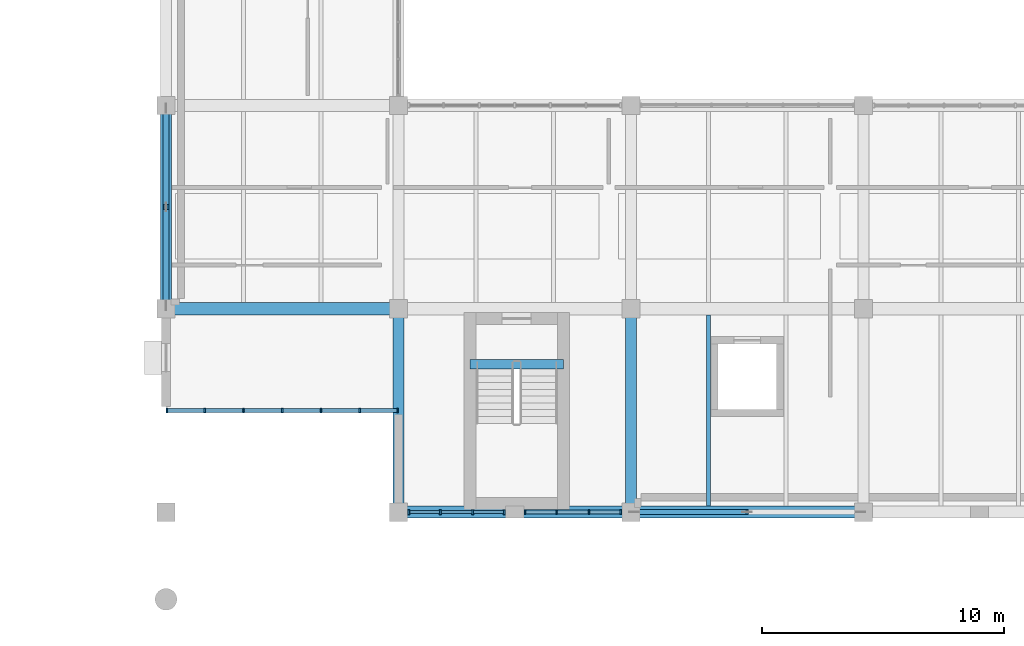
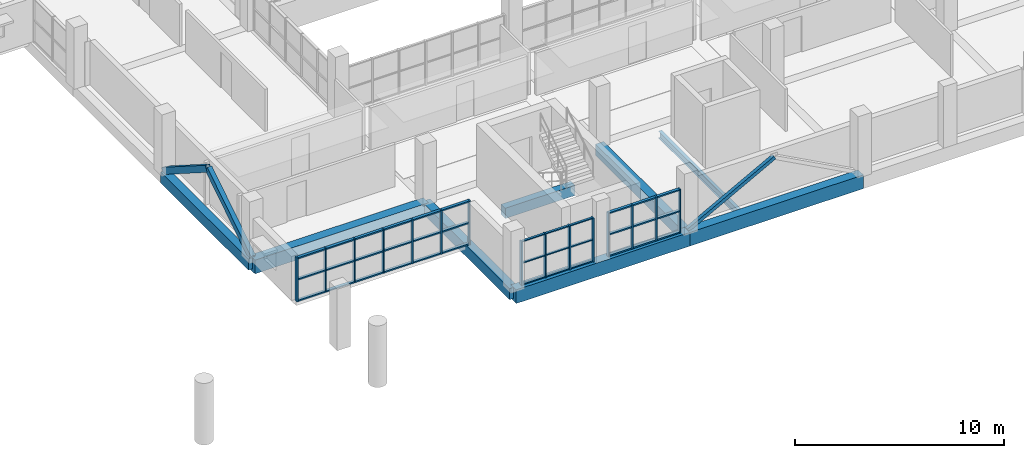
# One storey, part 51 of 147: 54 members, 8 beams, 3 elements without a shape of their own.
"""IFC4 building model written with IfcOpenShell, lengths in metres."""

import ifcopenshell
import ifcopenshell.guid

model = None  # the IFC model being written
_history = None  # IfcOwnerHistory: only IFC2X3 demands one
_inside = {}  # id of a spatial element -> (the spatial element, [elements in it])
_under = {}  # id of a project, library or spatial element -> (it, [spatial elements below it])
_declared = {}  # id of a project -> (the project, [libraries it declares])
_typed = {}  # id of a type object -> (the type object, [elements of that type])
_made_of = {}  # id of a material, layer set ... -> (it, [elements and type objects made of it])


def new_model(schema):
    """Start an empty IFC model of exactly this schema.

    Asked for "IFC4X3", IfcOpenShell would pick the latest addendum, in which some entities
    have other attributes; the version numbers below select the first issue.
    IFC2X3 requires an IfcOwnerHistory on every rooted entity: one is made here for all.
    """
    global model, _history
    if schema == "IFC4X3":
        model = ifcopenshell.file(schema_version=(4, 3, 0, 0))
    else:
        model = ifcopenshell.file(schema=schema)
    _inside.clear()
    _under.clear()
    _declared.clear()
    _typed.clear()
    _made_of.clear()
    _history = None
    if model.schema == "IFC2X3":
        org = make("IfcOrganization", Name="unknown")
        user = make(
            "IfcPersonAndOrganization",
            ThePerson=make("IfcPerson", FamilyName="unknown"),
            TheOrganization=org,
        )
        app = make(
            "IfcApplication",
            ApplicationDeveloper=org,
            Version="unknown",
            ApplicationFullName="unknown",
            ApplicationIdentifier="unknown",
        )
        _history = make(
            "IfcOwnerHistory",
            OwningUser=user,
            OwningApplication=app,
            ChangeAction="ADDED",
            CreationDate=0,
        )
    return model


def make(cls, **values):
    """One entity of the class cls with the attributes given. An attribute that is None is left unset."""
    return model.create_entity(
        cls, **{name: value for name, value in values.items() if value is not None}
    )


def rooted(cls, **values):
    """An entity with a GlobalId (a new one), such as an element, a storey or a relation."""
    return make(cls, GlobalId=ifcopenshell.guid.new(), OwnerHistory=_history, **values)


def si_unit(unit_type, name, prefix=None):
    """IfcSIUnit, for example si_unit("LENGTHUNIT", "METRE", prefix="MILLI")."""
    return make("IfcSIUnit", UnitType=unit_type, Prefix=prefix, Name=name)


def assignment(units):
    """IfcUnitAssignment: the units of a project."""
    return None if units is None else make("IfcUnitAssignment", Units=units)


def point(xyz):
    """IfcCartesianPoint."""
    return None if xyz is None else make("IfcCartesianPoint", Coordinates=xyz)


def direction(xyz):
    """IfcDirection."""
    return None if xyz is None else make("IfcDirection", DirectionRatios=xyz)


def frame(location, z_axis=None, x_axis=None):
    """IfcAxis2Placement3D, a coordinate frame: its origin and axes. An axis left out is left unset."""
    return make(
        "IfcAxis2Placement3D",
        Location=point(location),
        Axis=direction(z_axis),
        RefDirection=direction(x_axis),
    )


def frame_2d(location, x_axis=None):
    """IfcAxis2Placement2D, a coordinate frame in the plane: its origin and x axis."""
    return make(
        "IfcAxis2Placement2D", Location=point(location), RefDirection=direction(x_axis)
    )


def origin():
    """The frame at (0, 0, 0) with its axes left unset."""
    return frame((0.0, 0.0, 0.0))


def origin_2d():
    """The frame at (0, 0) in the plane with its x axis left unset."""
    return frame_2d((0.0, 0.0))


def place(relative_to, where):
    """IfcLocalPlacement: puts the frame where relative to a parent placement (None: the world)."""
    return make(
        "IfcLocalPlacement", PlacementRelTo=relative_to, RelativePlacement=where
    )


def context(
    kind, dimensions, precision=None, world=None, true_north=None, identifier=None
):
    """IfcGeometricRepresentationContext, for example the 3D "Model" context."""
    return make(
        "IfcGeometricRepresentationContext",
        ContextIdentifier=identifier,
        ContextType=kind,
        CoordinateSpaceDimension=dimensions,
        Precision=precision,
        WorldCoordinateSystem=world,
        TrueNorth=true_north,
    )


def subcontext(parent, identifier, kind, view, scale=None):
    """IfcGeometricRepresentationSubContext, for example "Body" below "Model"."""
    return make(
        "IfcGeometricRepresentationSubContext",
        ContextIdentifier=identifier,
        ContextType=kind,
        ParentContext=parent,
        TargetScale=scale,
        TargetView=view,
    )


def project(units=None, contexts=None):
    """IfcProject with its units and contexts."""
    return rooted(
        "IfcProject",
        Name="project",
        RepresentationContexts=contexts,
        UnitsInContext=assignment(units),
    )


def spatial(cls, under=None, at=None, **own):
    """A site, building, storey or space (cls), placed at a placement, below another one or the project."""
    s = rooted(cls, ObjectPlacement=at, **own)
    if under is not None:
        _under.setdefault(under.id(), (under, []))[1].append(s)
    return s


def profile(cls, at=None, kind="AREA", **sizes):
    """A parametric profile (cls). Its sizes go by their IFC names, for example OverallWidth=200.0."""
    return make(cls, ProfileType=kind, Position=at, **sizes)


def rectangle(**sizes):
    """IfcRectangleProfileDef."""
    return profile("IfcRectangleProfileDef", **sizes)


def hollow_rectangle(**sizes):
    """IfcRectangleHollowProfileDef."""
    return profile("IfcRectangleHollowProfileDef", **sizes)


def i_section(**sizes):
    """IfcIShapeProfileDef."""
    return profile("IfcIShapeProfileDef", **sizes)


def extrude(swept, where, along, depth):
    """IfcExtrudedAreaSolid: the profile swept, set in the frame where, extruded along a direction by depth."""
    return make(
        "IfcExtrudedAreaSolid",
        SweptArea=swept,
        Position=where,
        ExtrudedDirection=direction(along),
        Depth=depth,
    )


def shape(context_of_items, identifier, shape_type, items):
    """IfcShapeRepresentation: the items that make up one representation, for example the "Body"."""
    return make(
        "IfcShapeRepresentation",
        ContextOfItems=context_of_items,
        RepresentationIdentifier=identifier,
        RepresentationType=shape_type,
        Items=items,
    )


def material(Name=None, Category=None):
    """IfcMaterial."""
    return make("IfcMaterial", Name=Name, Category=Category)


def material_profile(
    of_material, cross_section, Name=None, Category=None, Priority=None
):
    """IfcMaterialProfile: a cross section and its material."""
    return make(
        "IfcMaterialProfile",
        Name=Name,
        Material=of_material,
        Profile=cross_section,
        Priority=Priority,
        Category=Category,
    )


def profile_set(profiles, Name=None, composite=None):
    """IfcMaterialProfileSet."""
    return make(
        "IfcMaterialProfileSet",
        Name=Name,
        MaterialProfiles=profiles,
        CompositeProfile=composite,
    )


def made_of(thing, what):
    """Note that an element or type object is made of a material, layer set ...; save() writes the relation."""
    if what is not None:
        _made_of.setdefault(what.id(), (what, []))[1].append(thing)
    return thing


def type_object(cls, material=None, **own):
    """A type object (cls), such as IfcWallType, which elements share."""
    return made_of(rooted(cls, **own), material)


def element(
    cls,
    number,
    at=None,
    inside=None,
    cuts=None,
    type_object=None,
    material=None,
    context=None,
    identifier="Body",
    shape_type=None,
    held_by="IfcProductDefinitionShape",
    body=None,
    shapes=None,
    **own,
):
    """One element of the class cls, such as IfcWall. Its Tag is "e" and its number.

    at: its placement. inside: the storey or other place that contains it. cuts: it is an
    opening in that element (IfcRelVoidsElement). A single representation is given by context,
    identifier, shape_type and body (its items); several are given by shapes. held_by: the class
    of the entity that holds the representations. save() writes the other relations.
    """
    e = rooted(cls, Tag="e%d" % number, ObjectPlacement=at, **own)
    if body is not None:
        shapes = [shape(context, identifier, shape_type, body)]
    if shapes is not None:
        e.Representation = make(held_by, Representations=shapes)
    if inside is not None:
        _inside.setdefault(inside.id(), (inside, []))[1].append(e)
    if cuts is not None:
        rooted(
            "IfcRelVoidsElement", RelatingBuildingElement=cuts, RelatedOpeningElement=e
        )
    if type_object is not None:
        _typed.setdefault(type_object.id(), (type_object, []))[1].append(e)
    return made_of(e, material)


def aggregate(whole, parts):
    """IfcRelAggregates: a whole, such as a stair, and the parts it consists of."""
    return rooted("IfcRelAggregates", RelatingObject=whole, RelatedObjects=parts)


def save(model, path):
    """Write the relations noted so far, then the file.

    IfcRelAggregates (storeys below a building ...), IfcRelContainedInSpatialStructure (elements
    in a storey), IfcRelDefinesByType, IfcRelAssociatesMaterial and IfcRelDeclares: one each for
    every whole, place, type object, material and project.
    """
    for whole, parts in _under.values():
        aggregate(whole, parts)
    for where, things in _inside.values():
        rooted(
            "IfcRelContainedInSpatialStructure",
            RelatedElements=things,
            RelatingStructure=where,
        )
    for kind, things in _typed.values():
        rooted("IfcRelDefinesByType", RelatedObjects=things, RelatingType=kind)
    for what, things in _made_of.values():
        rooted("IfcRelAssociatesMaterial", RelatedObjects=things, RelatingMaterial=what)
    for by, libraries in _declared.values():
        rooted("IfcRelDeclares", RelatingContext=by, RelatedDefinitions=libraries)
    model.write(path)


model = new_model("IFC4")

# Units and contexts
model_context = context("Model", 3, precision=1e-05, world=origin(), true_north=direction((0.0, 1.0)))
body_context = subcontext(model_context, "Body", "Model", "MODEL_VIEW")
ifc_project = project(units=[si_unit("LENGTHUNIT", "METRE"), si_unit("AREAUNIT", "SQUARE_METRE"), si_unit("VOLUMEUNIT", "CUBIC_METRE"), si_unit("PLANEANGLEUNIT", "RADIAN"), si_unit("MASSUNIT", "GRAM", prefix="KILO")], contexts=[model_context])

# Site, building, storey
site_placement = place(None, origin())
site = spatial("IfcSite", under=ifc_project, at=site_placement, CompositionType="ELEMENT")
building_placement = place(site_placement, origin())
building = spatial("IfcBuilding", under=site, at=building_placement, Name="Oolite Switchyard Hospital", CompositionType="ELEMENT")
storey_placement = place(building_placement, frame((0.0, 0.0, 9.89990234375)))
storey = spatial("IfcBuildingStorey", under=building, at=storey_placement, Name="L02", CompositionType="ELEMENT", Elevation=9.89990234375)

# Beams
ifc_material_1 = material(Name="Concrete C40/50", Category="concrete")
ifc_material_profile_1 = material_profile(ifc_material_1, rectangle(XDim=0.39990234375, YDim=0.60009765625, at=origin_2d()), Name="RCB400X600")
ifc_profile_set_1 = profile_set([ifc_material_profile_1], Name="Concrete C40/50")
beam_type_1 = type_object("IfcBeamType", Name="BM-RC400X600", PredefinedType="BEAM", material=ifc_profile_set_1)
beam_1_placement = place(storey_placement, frame((146.949951171875, 14.510009765625, -0.2998046875), z_axis=(1.0, 0.0, 0.0), x_axis=(0.0, 1.0, 0.0)))
element("IfcBeam", 1, at=beam_1_placement, inside=storey, type_object=beam_type_1, Name="L02 ST-05 Stair Throat Trimmer Beam", PredefinedType="BEAM", context=body_context, shape_type="SweptSolid", body=[
    extrude(rectangle(XDim=0.39990234375, YDim=0.60009765625, at=origin_2d()), origin(), (0.0, 0.0, 1.0), 3.860107421875),
])
ifc_material_profile_2 = material_profile(ifc_material_1, rectangle(XDim=0.449951171875, YDim=0.64990234375, at=origin_2d()), Name="RCB450X650")
ifc_profile_set_2 = profile_set([ifc_material_profile_2], Name="Concrete C40/50")
beam_type_2 = type_object("IfcBeamType", Name="BM-RC450X650", PredefinedType="BEAM", material=ifc_profile_set_2)
beam_2_placement = place(storey_placement, frame((134.39990234375, 16.800048828125, -0.324951171875), z_axis=(0.0, 1.0, 0.0), x_axis=(-1.0, 0.0, 0.0)))
element("IfcBeam", 2, at=beam_2_placement, inside=storey, type_object=beam_type_2, Name="L02 Y-Girder 1400", PredefinedType="BEAM", context=body_context, shape_type="SweptSolid", body=[
    extrude(rectangle(XDim=0.449951171875, YDim=0.64990234375, at=origin_2d()), origin(), (0.0, 0.0, 1.0), 8.39990234375),
])
for number, where, z_axis, x_axis, name in (
    (3, (144.0, 8.39990234375, -0.324951171875), (0.0, 1.0, 0.0), (-1.0, 0.0, 0.0), "L02 Y-Girder 1414"),
    (4, (153.60009765625, 8.39990234375, -0.324951171875), (0.0, 1.0, 0.0), (-1.0, 0.0, 0.0), "L02 Y-Girder 1431"),
):
    element("IfcBeam", number, at=place(storey_placement, frame(where, z_axis=z_axis, x_axis=x_axis)), inside=storey, type_object=beam_type_2, Name=name, PredefinedType="BEAM", context=body_context, shape_type="SweptSolid", body=[
        extrude(rectangle(XDim=0.449951171875, YDim=0.64990234375, at=origin_2d()), origin(), (0.0, 0.0, 1.0), 8.400146484375),
    ])
ifc_material_profile_3 = material_profile(ifc_material_1, rectangle(XDim=0.5, YDim=0.800048828125, at=origin_2d()), Name="RCB500X800")
ifc_profile_set_3 = profile_set([ifc_material_profile_3], Name="Concrete C40/50")
beam_type_3 = type_object("IfcBeamType", Name="BM-RC500X800", PredefinedType="BEAM", material=ifc_profile_set_3)
beam_3_placement = place(storey_placement, frame((144.0, 8.39990234375, -0.39990234375), z_axis=(1.0, 0.0, 0.0), x_axis=(0.0, 1.0, 0.0)))
element("IfcBeam", 5, at=beam_3_placement, inside=storey, type_object=beam_type_3, Name="L02 X-Girder 998", PredefinedType="BEAM", context=body_context, shape_type="SweptSolid", body=[
    extrude(rectangle(XDim=0.5, YDim=0.800048828125, at=origin_2d()), origin(), (0.0, 0.0, 1.0), 9.60009765625),
])
beam_4_placement = place(storey_placement, frame((153.60009765625, 8.39990234375, -0.39990234375), z_axis=(1.0, 0.0, 0.0), x_axis=(0.0, 1.0, 0.0)))
element("IfcBeam", 6, at=beam_4_placement, inside=storey, type_object=beam_type_3, Name="L02 X-Girder 999", PredefinedType="BEAM", context=body_context, shape_type="SweptSolid", body=[
    extrude(rectangle(XDim=0.5, YDim=0.800048828125, at=origin_2d()), origin(), (0.0, 0.0, 1.0), 9.599853515625),
])
beam_5_placement = place(storey_placement, frame((134.39990234375, 16.800048828125, -0.39990234375), z_axis=(1.0, 0.0, 0.0), x_axis=(0.0, 1.0, 0.0)))
element("IfcBeam", 7, at=beam_5_placement, inside=storey, type_object=beam_type_3, Name="L02 X-Girder 1011", PredefinedType="BEAM", context=body_context, shape_type="SweptSolid", body=[
    extrude(rectangle(XDim=0.5, YDim=0.800048828125, at=origin_2d()), origin(), (0.0, 0.0, 1.0), 9.60009765625),
])
ifc_material_2 = material(Name="Steel ASTM A992 Grade 50", Category="steel")
ifc_material_profile_4 = material_profile(ifc_material_2, i_section(OverallWidth=0.177978515625, OverallDepth=0.403076171875, WebThickness=0.008056640625, FlangeThickness=0.010986328125, at=origin_2d()), Name="W16X36")
ifc_profile_set_4 = profile_set([ifc_material_profile_4], Name="Steel ASTM A992 Grade 50")
beam_type_4 = type_object("IfcBeamType", Name="BM-W16X36", PredefinedType="JOIST", material=ifc_profile_set_4)
beam_6_placement = place(storey_placement, frame((156.800048828125, 8.64990234375, -0.4609375), z_axis=(0.0, 1.0, 0.0), x_axis=(-1.0, 0.0, 0.0)))
element("IfcBeam", 8, at=beam_6_placement, inside=storey, type_object=beam_type_4, Name="L02 Secondary Steel Joist 1812", PredefinedType="JOIST", context=body_context, shape_type="SweptSolid", body=[
    extrude(i_section(OverallWidth=0.177978515625, OverallDepth=0.403076171875, WebThickness=0.008056640625, FlangeThickness=0.010986328125, at=origin_2d()), origin(), (0.0, 0.0, 1.0), 7.900146484375),
])

# Curtain wall, members
ifc_material_3 = material(Name="Thermally broken aluminum frame with laminated impact glazing", Category="aluminium")
curtain_wall_type_1 = type_object("IfcCurtainWallType", Name="CW-UNIT-84X36", PredefinedType="USERDEFINED", material=ifc_material_3)
curtain_wall_1_placement = place(storey_placement, origin())
curtain_wall_1 = element("IfcCurtainWall", 9, at=curtain_wall_1_placement, inside=storey, type_object=curtain_wall_type_1, Name="L02 Unitised Curtain Wall 209", ObjectType="UNITISED", PredefinedType="USERDEFINED")
ifc_material_4 = material(Name="Aluminium 6063-T6", Category="aluminium")
ifc_material_profile_5 = material_profile(ifc_material_4, rectangle(XDim=0.179931640625, YDim=0.070068359375, at=origin_2d()), Name="CWM70X180")
ifc_profile_set_5 = profile_set([ifc_material_profile_5], Name="Aluminium 6063-T6")
member_type_1 = type_object("IfcMemberType", Name="CW-MUL-220", PredefinedType="MULLION", material=ifc_profile_set_5)
member_1_placement = place(storey_placement, frame((153.175048828125, 8.39990234375, 0.0), z_axis=(0.0, 0.0, 1.0), x_axis=(0.0, -1.0, 0.0)))
member_1 = element("IfcMember", 10, at=member_1_placement, type_object=member_type_1, Name="CW-08 mullion 1", PredefinedType="MULLION", context=body_context, shape_type="SweptSolid", body=[
    extrude(rectangle(XDim=0.179931640625, YDim=0.070068359375, at=origin_2d()), origin(), (0.0, 0.0, 1.0), 2.570068359375),
])
member_2_placement = place(storey_placement, frame((151.8701171875, 8.39990234375, 0.0), z_axis=(0.0, 0.0, 1.0), x_axis=(0.0, -1.0, 0.0)))
member_2 = element("IfcMember", 11, at=member_2_placement, type_object=member_type_1, Name="CW-08 mullion 2", PredefinedType="MULLION", context=body_context, shape_type="SweptSolid", body=[
    extrude(rectangle(XDim=0.179931640625, YDim=0.070068359375, at=origin_2d()), origin(), (0.0, 0.0, 1.0), 2.570068359375),
])
member_3_placement = place(storey_placement, frame((150.530029296875, 8.39990234375, 0.0), z_axis=(0.0, 0.0, 1.0), x_axis=(0.0, -1.0, 0.0)))
member_3 = element("IfcMember", 12, at=member_3_placement, type_object=member_type_1, Name="CW-08 mullion 3", PredefinedType="MULLION", context=body_context, shape_type="SweptSolid", body=[
    extrude(rectangle(XDim=0.179931640625, YDim=0.070068359375, at=origin_2d()), origin(), (0.0, 0.0, 1.0), 2.570068359375),
])
member_4_placement = place(storey_placement, frame((149.22509765625, 8.39990234375, 0.0), z_axis=(0.0, 0.0, 1.0), x_axis=(0.0, -1.0, 0.0)))
member_4 = element("IfcMember", 13, at=member_4_placement, type_object=member_type_1, Name="CW-08 mullion 4", PredefinedType="MULLION", context=body_context, shape_type="SweptSolid", body=[
    extrude(rectangle(XDim=0.179931640625, YDim=0.070068359375, at=origin_2d()), origin(), (0.0, 0.0, 1.0), 2.570068359375),
])

curtain_wall_type_2 = type_object("IfcCurtainWallType", Name="CW-UNIT-96X36", PredefinedType="USERDEFINED", material=ifc_material_3)
curtain_wall_2_placement = place(storey_placement, origin())
curtain_wall_2 = element("IfcCurtainWall", 14, at=curtain_wall_2_placement, inside=storey, type_object=curtain_wall_type_2, Name="L02 Unitised Curtain Wall 215", ObjectType="UNITISED", PredefinedType="USERDEFINED")
member_5_placement = place(storey_placement, frame((143.965087890625, 12.60009765625, 0.0), z_axis=(0.0, 0.0, 1.0), x_axis=(0.0, -1.0, 0.0)))
member_5 = element("IfcMember", 15, at=member_5_placement, type_object=member_type_1, Name="CW-03 mullion 1", PredefinedType="MULLION", context=body_context, shape_type="SweptSolid", body=[
    extrude(rectangle(XDim=0.179931640625, YDim=0.070068359375, at=origin_2d()), origin(), (0.0, 0.0, 1.0), 2.570068359375),
])
member_6_placement = place(storey_placement, frame((142.39990234375, 12.60009765625, 0.0), z_axis=(0.0, 0.0, 1.0), x_axis=(0.0, -1.0, 0.0)))
member_6 = element("IfcMember", 16, at=member_6_placement, type_object=member_type_1, Name="CW-03 mullion 2", PredefinedType="MULLION", context=body_context, shape_type="SweptSolid", body=[
    extrude(rectangle(XDim=0.179931640625, YDim=0.070068359375, at=origin_2d()), origin(), (0.0, 0.0, 1.0), 2.570068359375),
])
member_7_placement = place(storey_placement, frame((140.800048828125, 12.60009765625, 0.0), z_axis=(0.0, 0.0, 1.0), x_axis=(0.0, -1.0, 0.0)))
member_7 = element("IfcMember", 17, at=member_7_placement, type_object=member_type_1, Name="CW-03 mullion 3", PredefinedType="MULLION", context=body_context, shape_type="SweptSolid", body=[
    extrude(rectangle(XDim=0.179931640625, YDim=0.070068359375, at=origin_2d()), origin(), (0.0, 0.0, 1.0), 2.570068359375),
])
member_8_placement = place(storey_placement, frame((139.199951171875, 12.60009765625, 0.0), z_axis=(0.0, 0.0, 1.0), x_axis=(0.0, -1.0, 0.0)))
member_8 = element("IfcMember", 18, at=member_8_placement, type_object=member_type_1, Name="CW-03 mullion 4", PredefinedType="MULLION", context=body_context, shape_type="SweptSolid", body=[
    extrude(rectangle(XDim=0.179931640625, YDim=0.070068359375, at=origin_2d()), origin(), (0.0, 0.0, 1.0), 2.570068359375),
])
member_9_placement = place(storey_placement, frame((137.60009765625, 12.60009765625, 0.0), z_axis=(0.0, 0.0, 1.0), x_axis=(0.0, -1.0, 0.0)))
member_9 = element("IfcMember", 19, at=member_9_placement, type_object=member_type_1, Name="CW-03 mullion 5", PredefinedType="MULLION", context=body_context, shape_type="SweptSolid", body=[
    extrude(rectangle(XDim=0.179931640625, YDim=0.070068359375, at=origin_2d()), origin(), (0.0, 0.0, 1.0), 2.570068359375),
])
member_10_placement = place(storey_placement, frame((136.0, 12.60009765625, 0.0), z_axis=(0.0, 0.0, 1.0), x_axis=(0.0, -1.0, 0.0)))
member_10 = element("IfcMember", 20, at=member_10_placement, type_object=member_type_1, Name="CW-03 mullion 6", PredefinedType="MULLION", context=body_context, shape_type="SweptSolid", body=[
    extrude(rectangle(XDim=0.179931640625, YDim=0.070068359375, at=origin_2d()), origin(), (0.0, 0.0, 1.0), 2.570068359375),
])
member_11_placement = place(storey_placement, frame((134.43505859375, 12.60009765625, 0.0), z_axis=(0.0, 0.0, 1.0), x_axis=(0.0, -1.0, 0.0)))
member_11 = element("IfcMember", 21, at=member_11_placement, type_object=member_type_1, Name="CW-03 mullion 7", PredefinedType="MULLION", context=body_context, shape_type="SweptSolid", body=[
    extrude(rectangle(XDim=0.179931640625, YDim=0.070068359375, at=origin_2d()), origin(), (0.0, 0.0, 1.0), 2.570068359375),
])

curtain_wall_3_placement = place(storey_placement, origin())
curtain_wall_3 = element("IfcCurtainWall", 22, at=curtain_wall_3_placement, inside=storey, type_object=curtain_wall_type_1, Name="L02 Unitised Curtain Wall 210", ObjectType="UNITISED", PredefinedType="USERDEFINED")
ifc_material_profile_6 = material_profile(ifc_material_4, rectangle(XDim=0.199951171875, YDim=0.074951171875, at=origin_2d()), Name="CWM75X200")
ifc_profile_set_6 = profile_set([ifc_material_profile_6], Name="Aluminium 6063-T6")
member_type_2 = type_object("IfcMemberType", Name="CW-MUL-260", PredefinedType="MULLION", material=ifc_profile_set_6)
member_12_placement = place(storey_placement, frame((148.37255859375, 8.39990234375, 0.0), z_axis=(0.0, 0.0, 1.0), x_axis=(0.0, -1.0, 0.0)))
member_12 = element("IfcMember", 23, at=member_12_placement, type_object=member_type_2, Name="CW-08 mullion 1", PredefinedType="MULLION", context=body_context, shape_type="SweptSolid", body=[
    extrude(rectangle(XDim=0.199951171875, YDim=0.074951171875, at=origin_2d()), origin(), (0.0, 0.0, 1.0), 2.570068359375),
])
member_13_placement = place(storey_placement, frame((147.070068359375, 8.39990234375, 0.0), z_axis=(0.0, 0.0, 1.0), x_axis=(0.0, -1.0, 0.0)))
member_13 = element("IfcMember", 24, at=member_13_placement, type_object=member_type_2, Name="CW-08 mullion 2", PredefinedType="MULLION", context=body_context, shape_type="SweptSolid", body=[
    extrude(rectangle(XDim=0.199951171875, YDim=0.074951171875, at=origin_2d()), origin(), (0.0, 0.0, 1.0), 2.570068359375),
])
member_14_placement = place(storey_placement, frame((145.72998046875, 8.39990234375, 0.0), z_axis=(0.0, 0.0, 1.0), x_axis=(0.0, -1.0, 0.0)))
member_14 = element("IfcMember", 25, at=member_14_placement, type_object=member_type_2, Name="CW-08 mullion 3", PredefinedType="MULLION", context=body_context, shape_type="SweptSolid", body=[
    extrude(rectangle(XDim=0.199951171875, YDim=0.074951171875, at=origin_2d()), origin(), (0.0, 0.0, 1.0), 2.570068359375),
])
member_15_placement = place(storey_placement, frame((144.427490234375, 8.39990234375, 0.0), z_axis=(0.0, 0.0, 1.0), x_axis=(0.0, -1.0, 0.0)))
member_15 = element("IfcMember", 26, at=member_15_placement, type_object=member_type_2, Name="CW-08 mullion 4", PredefinedType="MULLION", context=body_context, shape_type="SweptSolid", body=[
    extrude(rectangle(XDim=0.199951171875, YDim=0.074951171875, at=origin_2d()), origin(), (0.0, 0.0, 1.0), 2.570068359375),
])
ifc_material_profile_7 = material_profile(ifc_material_4, rectangle(XDim=0.1201171875, YDim=0.06005859375, at=origin_2d()), Name="CWT60X120")
ifc_profile_set_7 = profile_set([ifc_material_profile_7], Name="Aluminium 6063-T6")
member_type_3 = type_object("IfcMemberType", Name="CW-TRN-150", PredefinedType="USERDEFINED", material=ifc_profile_set_7)
member_16_placement = place(storey_placement, frame((148.3349609375, 8.39990234375, 0.030029296875), z_axis=(-1.0, 0.0, 0.0), x_axis=(0.0, -1.0, 0.0)))
member_16 = element("IfcMember", 27, at=member_16_placement, type_object=member_type_3, Name="CW-08 transom 1.1", ObjectType="TRANSOM", PredefinedType="USERDEFINED", context=body_context, shape_type="SweptSolid", body=[
    extrude(rectangle(XDim=0.1201171875, YDim=0.06005859375, at=origin_2d()), origin(), (0.0, 0.0, 1.0), 1.2275390625),
])
member_17_placement = place(storey_placement, frame((148.3349609375, 8.39990234375, 1.28515625), z_axis=(-1.0, 0.0, 0.0), x_axis=(0.0, -1.0, 0.0)))
member_17 = element("IfcMember", 28, at=member_17_placement, type_object=member_type_3, Name="CW-08 transom 1.2", ObjectType="TRANSOM", PredefinedType="USERDEFINED", context=body_context, shape_type="SweptSolid", body=[
    extrude(rectangle(XDim=0.1201171875, YDim=0.06005859375, at=origin_2d()), origin(), (0.0, 0.0, 1.0), 1.2275390625),
])
member_18_placement = place(storey_placement, frame((148.3349609375, 8.39990234375, 2.5400390625), z_axis=(-1.0, 0.0, 0.0), x_axis=(0.0, -1.0, 0.0)))
member_18 = element("IfcMember", 29, at=member_18_placement, type_object=member_type_3, Name="CW-08 transom 1.3", ObjectType="TRANSOM", PredefinedType="USERDEFINED", context=body_context, shape_type="SweptSolid", body=[
    extrude(rectangle(XDim=0.1201171875, YDim=0.06005859375, at=origin_2d()), origin(), (0.0, 0.0, 1.0), 1.2275390625),
])
member_19_placement = place(storey_placement, frame((147.032470703125, 8.39990234375, 0.030029296875), z_axis=(-1.0, 0.0, 0.0), x_axis=(0.0, -1.0, 0.0)))
member_19 = element("IfcMember", 30, at=member_19_placement, type_object=member_type_3, Name="CW-08 transom 2.1", ObjectType="TRANSOM", PredefinedType="USERDEFINED", context=body_context, shape_type="SweptSolid", body=[
    extrude(rectangle(XDim=0.1201171875, YDim=0.06005859375, at=origin_2d()), origin(), (0.0, 0.0, 1.0), 1.264892578125),
])
member_20_placement = place(storey_placement, frame((147.032470703125, 8.39990234375, 1.28515625), z_axis=(-1.0, 0.0, 0.0), x_axis=(0.0, -1.0, 0.0)))
member_20 = element("IfcMember", 31, at=member_20_placement, type_object=member_type_3, Name="CW-08 transom 2.2", ObjectType="TRANSOM", PredefinedType="USERDEFINED", context=body_context, shape_type="SweptSolid", body=[
    extrude(rectangle(XDim=0.1201171875, YDim=0.06005859375, at=origin_2d()), origin(), (0.0, 0.0, 1.0), 1.264892578125),
])
member_21_placement = place(storey_placement, frame((147.032470703125, 8.39990234375, 2.5400390625), z_axis=(-1.0, 0.0, 0.0), x_axis=(0.0, -1.0, 0.0)))
member_21 = element("IfcMember", 32, at=member_21_placement, type_object=member_type_3, Name="CW-08 transom 2.3", ObjectType="TRANSOM", PredefinedType="USERDEFINED", context=body_context, shape_type="SweptSolid", body=[
    extrude(rectangle(XDim=0.1201171875, YDim=0.06005859375, at=origin_2d()), origin(), (0.0, 0.0, 1.0), 1.264892578125),
])
member_22_placement = place(storey_placement, frame((145.6923828125, 8.39990234375, 0.030029296875), z_axis=(-1.0, 0.0, 0.0), x_axis=(0.0, -1.0, 0.0)))
member_22 = element("IfcMember", 33, at=member_22_placement, type_object=member_type_3, Name="CW-08 transom 3.1", ObjectType="TRANSOM", PredefinedType="USERDEFINED", context=body_context, shape_type="SweptSolid", body=[
    extrude(rectangle(XDim=0.1201171875, YDim=0.06005859375, at=origin_2d()), origin(), (0.0, 0.0, 1.0), 1.227294921875),
])
member_23_placement = place(storey_placement, frame((145.6923828125, 8.39990234375, 1.28515625), z_axis=(-1.0, 0.0, 0.0), x_axis=(0.0, -1.0, 0.0)))
member_23 = element("IfcMember", 34, at=member_23_placement, type_object=member_type_3, Name="CW-08 transom 3.2", ObjectType="TRANSOM", PredefinedType="USERDEFINED", context=body_context, shape_type="SweptSolid", body=[
    extrude(rectangle(XDim=0.1201171875, YDim=0.06005859375, at=origin_2d()), origin(), (0.0, 0.0, 1.0), 1.227294921875),
])
member_24_placement = place(storey_placement, frame((145.6923828125, 8.39990234375, 2.5400390625), z_axis=(-1.0, 0.0, 0.0), x_axis=(0.0, -1.0, 0.0)))
member_24 = element("IfcMember", 35, at=member_24_placement, type_object=member_type_3, Name="CW-08 transom 3.3", ObjectType="TRANSOM", PredefinedType="USERDEFINED", context=body_context, shape_type="SweptSolid", body=[
    extrude(rectangle(XDim=0.1201171875, YDim=0.06005859375, at=origin_2d()), origin(), (0.0, 0.0, 1.0), 1.227294921875),
])
aggregate(curtain_wall_3, [member_12, member_13, member_14, member_15, member_16, member_17, member_18, member_19, member_20, member_21, member_22, member_23, member_24])

# Member
ifc_material_profile_8 = material_profile(ifc_material_4, rectangle(XDim=0.159912109375, YDim=0.074951171875, at=origin_2d()), Name="CWT75X160")
ifc_profile_set_8 = profile_set([ifc_material_profile_8], Name="Aluminium 6063-T6")
member_type_4 = type_object("IfcMemberType", Name="CW-TRN-180", PredefinedType="USERDEFINED", material=ifc_profile_set_8)
member_25_placement = place(storey_placement, frame((153.139892578125, 8.39990234375, 0.03759765625), z_axis=(-1.0, 0.0, 0.0), x_axis=(0.0, -1.0, 0.0)))
member_25 = element("IfcMember", 36, at=member_25_placement, type_object=member_type_4, Name="CW-08 transom 1.1", ObjectType="TRANSOM", PredefinedType="USERDEFINED", context=body_context, shape_type="SweptSolid", body=[
    extrude(rectangle(XDim=0.159912109375, YDim=0.074951171875, at=origin_2d()), origin(), (0.0, 0.0, 1.0), 1.23486328125),
])

member_26_placement = place(storey_placement, frame((153.139892578125, 8.39990234375, 1.28515625), z_axis=(-1.0, 0.0, 0.0), x_axis=(0.0, -1.0, 0.0)))
member_26 = element("IfcMember", 37, at=member_26_placement, type_object=member_type_4, Name="CW-08 transom 1.2", ObjectType="TRANSOM", PredefinedType="USERDEFINED", context=body_context, shape_type="SweptSolid", body=[
    extrude(rectangle(XDim=0.159912109375, YDim=0.074951171875, at=origin_2d()), origin(), (0.0, 0.0, 1.0), 1.23486328125),
])

member_27_placement = place(storey_placement, frame((153.139892578125, 8.39990234375, 2.53271484375), z_axis=(-1.0, 0.0, 0.0), x_axis=(0.0, -1.0, 0.0)))
member_27 = element("IfcMember", 38, at=member_27_placement, type_object=member_type_4, Name="CW-08 transom 1.3", ObjectType="TRANSOM", PredefinedType="USERDEFINED", context=body_context, shape_type="SweptSolid", body=[
    extrude(rectangle(XDim=0.159912109375, YDim=0.074951171875, at=origin_2d()), origin(), (0.0, 0.0, 1.0), 1.23486328125),
])

member_28_placement = place(storey_placement, frame((151.8349609375, 8.39990234375, 0.03759765625), z_axis=(-1.0, 0.0, 0.0), x_axis=(0.0, -1.0, 0.0)))
member_28 = element("IfcMember", 39, at=member_28_placement, type_object=member_type_4, Name="CW-08 transom 2.1", ObjectType="TRANSOM", PredefinedType="USERDEFINED", context=body_context, shape_type="SweptSolid", body=[
    extrude(rectangle(XDim=0.159912109375, YDim=0.074951171875, at=origin_2d()), origin(), (0.0, 0.0, 1.0), 1.27001953125),
])

member_29_placement = place(storey_placement, frame((151.8349609375, 8.39990234375, 1.28515625), z_axis=(-1.0, 0.0, 0.0), x_axis=(0.0, -1.0, 0.0)))
member_29 = element("IfcMember", 40, at=member_29_placement, type_object=member_type_4, Name="CW-08 transom 2.2", ObjectType="TRANSOM", PredefinedType="USERDEFINED", context=body_context, shape_type="SweptSolid", body=[
    extrude(rectangle(XDim=0.159912109375, YDim=0.074951171875, at=origin_2d()), origin(), (0.0, 0.0, 1.0), 1.27001953125),
])

member_30_placement = place(storey_placement, frame((151.8349609375, 8.39990234375, 2.53271484375), z_axis=(-1.0, 0.0, 0.0), x_axis=(0.0, -1.0, 0.0)))
member_30 = element("IfcMember", 41, at=member_30_placement, type_object=member_type_4, Name="CW-08 transom 2.3", ObjectType="TRANSOM", PredefinedType="USERDEFINED", context=body_context, shape_type="SweptSolid", body=[
    extrude(rectangle(XDim=0.159912109375, YDim=0.074951171875, at=origin_2d()), origin(), (0.0, 0.0, 1.0), 1.27001953125),
])

member_31_placement = place(storey_placement, frame((150.4951171875, 8.39990234375, 0.03759765625), z_axis=(-1.0, 0.0, 0.0), x_axis=(0.0, -1.0, 0.0)))
member_31 = element("IfcMember", 42, at=member_31_placement, type_object=member_type_4, Name="CW-08 transom 3.1", ObjectType="TRANSOM", PredefinedType="USERDEFINED", context=body_context, shape_type="SweptSolid", body=[
    extrude(rectangle(XDim=0.159912109375, YDim=0.074951171875, at=origin_2d()), origin(), (0.0, 0.0, 1.0), 1.235107421875),
])

member_32_placement = place(storey_placement, frame((150.4951171875, 8.39990234375, 1.28515625), z_axis=(-1.0, 0.0, 0.0), x_axis=(0.0, -1.0, 0.0)))
member_32 = element("IfcMember", 43, at=member_32_placement, type_object=member_type_4, Name="CW-08 transom 3.2", ObjectType="TRANSOM", PredefinedType="USERDEFINED", context=body_context, shape_type="SweptSolid", body=[
    extrude(rectangle(XDim=0.159912109375, YDim=0.074951171875, at=origin_2d()), origin(), (0.0, 0.0, 1.0), 1.235107421875),
])

member_33_placement = place(storey_placement, frame((150.4951171875, 8.39990234375, 2.53271484375), z_axis=(-1.0, 0.0, 0.0), x_axis=(0.0, -1.0, 0.0)))
member_33 = element("IfcMember", 44, at=member_33_placement, type_object=member_type_4, Name="CW-08 transom 3.3", ObjectType="TRANSOM", PredefinedType="USERDEFINED", context=body_context, shape_type="SweptSolid", body=[
    extrude(rectangle(XDim=0.159912109375, YDim=0.074951171875, at=origin_2d()), origin(), (0.0, 0.0, 1.0), 1.235107421875),
])

aggregate(curtain_wall_1, [member_1, member_2, member_3, member_4, member_25, member_26, member_27, member_28, member_29, member_30, member_31, member_32, member_33])

member_34_placement = place(storey_placement, frame((143.929931640625, 12.60009765625, 0.03759765625), z_axis=(-1.0, 0.0, 0.0), x_axis=(0.0, -1.0, 0.0)))
member_34 = element("IfcMember", 45, at=member_34_placement, type_object=member_type_4, Name="CW-03 transom 1.1", ObjectType="TRANSOM", PredefinedType="USERDEFINED", context=body_context, shape_type="SweptSolid", body=[
    extrude(rectangle(XDim=0.159912109375, YDim=0.074951171875, at=origin_2d()), origin(), (0.0, 0.0, 1.0), 1.494873046875),
])

member_35_placement = place(storey_placement, frame((143.929931640625, 12.60009765625, 1.28515625), z_axis=(-1.0, 0.0, 0.0), x_axis=(0.0, -1.0, 0.0)))
member_35 = element("IfcMember", 46, at=member_35_placement, type_object=member_type_4, Name="CW-03 transom 1.2", ObjectType="TRANSOM", PredefinedType="USERDEFINED", context=body_context, shape_type="SweptSolid", body=[
    extrude(rectangle(XDim=0.159912109375, YDim=0.074951171875, at=origin_2d()), origin(), (0.0, 0.0, 1.0), 1.494873046875),
])

member_36_placement = place(storey_placement, frame((143.929931640625, 12.60009765625, 2.53271484375), z_axis=(-1.0, 0.0, 0.0), x_axis=(0.0, -1.0, 0.0)))
member_36 = element("IfcMember", 47, at=member_36_placement, type_object=member_type_4, Name="CW-03 transom 1.3", ObjectType="TRANSOM", PredefinedType="USERDEFINED", context=body_context, shape_type="SweptSolid", body=[
    extrude(rectangle(XDim=0.159912109375, YDim=0.074951171875, at=origin_2d()), origin(), (0.0, 0.0, 1.0), 1.494873046875),
])

member_37_placement = place(storey_placement, frame((142.364990234375, 12.60009765625, 0.03759765625), z_axis=(-1.0, 0.0, 0.0), x_axis=(0.0, -1.0, 0.0)))
member_37 = element("IfcMember", 48, at=member_37_placement, type_object=member_type_4, Name="CW-03 transom 2.1", ObjectType="TRANSOM", PredefinedType="USERDEFINED", context=body_context, shape_type="SweptSolid", body=[
    extrude(rectangle(XDim=0.159912109375, YDim=0.074951171875, at=origin_2d()), origin(), (0.0, 0.0, 1.0), 1.530029296875),
])

member_38_placement = place(storey_placement, frame((142.364990234375, 12.60009765625, 1.28515625), z_axis=(-1.0, 0.0, 0.0), x_axis=(0.0, -1.0, 0.0)))
member_38 = element("IfcMember", 49, at=member_38_placement, type_object=member_type_4, Name="CW-03 transom 2.2", ObjectType="TRANSOM", PredefinedType="USERDEFINED", context=body_context, shape_type="SweptSolid", body=[
    extrude(rectangle(XDim=0.159912109375, YDim=0.074951171875, at=origin_2d()), origin(), (0.0, 0.0, 1.0), 1.530029296875),
])

member_39_placement = place(storey_placement, frame((142.364990234375, 12.60009765625, 2.53271484375), z_axis=(-1.0, 0.0, 0.0), x_axis=(0.0, -1.0, 0.0)))
member_39 = element("IfcMember", 50, at=member_39_placement, type_object=member_type_4, Name="CW-03 transom 2.3", ObjectType="TRANSOM", PredefinedType="USERDEFINED", context=body_context, shape_type="SweptSolid", body=[
    extrude(rectangle(XDim=0.159912109375, YDim=0.074951171875, at=origin_2d()), origin(), (0.0, 0.0, 1.0), 1.530029296875),
])

member_40_placement = place(storey_placement, frame((140.764892578125, 12.60009765625, 0.03759765625), z_axis=(-1.0, 0.0, 0.0), x_axis=(0.0, -1.0, 0.0)))
member_40 = element("IfcMember", 51, at=member_40_placement, type_object=member_type_4, Name="CW-03 transom 3.1", ObjectType="TRANSOM", PredefinedType="USERDEFINED", context=body_context, shape_type="SweptSolid", body=[
    extrude(rectangle(XDim=0.159912109375, YDim=0.074951171875, at=origin_2d()), origin(), (0.0, 0.0, 1.0), 1.52978515625),
])

member_41_placement = place(storey_placement, frame((140.764892578125, 12.60009765625, 1.28515625), z_axis=(-1.0, 0.0, 0.0), x_axis=(0.0, -1.0, 0.0)))
member_41 = element("IfcMember", 52, at=member_41_placement, type_object=member_type_4, Name="CW-03 transom 3.2", ObjectType="TRANSOM", PredefinedType="USERDEFINED", context=body_context, shape_type="SweptSolid", body=[
    extrude(rectangle(XDim=0.159912109375, YDim=0.074951171875, at=origin_2d()), origin(), (0.0, 0.0, 1.0), 1.52978515625),
])

member_42_placement = place(storey_placement, frame((140.764892578125, 12.60009765625, 2.53271484375), z_axis=(-1.0, 0.0, 0.0), x_axis=(0.0, -1.0, 0.0)))
member_42 = element("IfcMember", 53, at=member_42_placement, type_object=member_type_4, Name="CW-03 transom 3.3", ObjectType="TRANSOM", PredefinedType="USERDEFINED", context=body_context, shape_type="SweptSolid", body=[
    extrude(rectangle(XDim=0.159912109375, YDim=0.074951171875, at=origin_2d()), origin(), (0.0, 0.0, 1.0), 1.52978515625),
])

member_43_placement = place(storey_placement, frame((139.1650390625, 12.60009765625, 0.03759765625), z_axis=(-1.0, 0.0, 0.0), x_axis=(0.0, -1.0, 0.0)))
member_43 = element("IfcMember", 54, at=member_43_placement, type_object=member_type_4, Name="CW-03 transom 4.1", ObjectType="TRANSOM", PredefinedType="USERDEFINED", context=body_context, shape_type="SweptSolid", body=[
    extrude(rectangle(XDim=0.159912109375, YDim=0.074951171875, at=origin_2d()), origin(), (0.0, 0.0, 1.0), 1.530029296875),
])

member_44_placement = place(storey_placement, frame((139.1650390625, 12.60009765625, 1.28515625), z_axis=(-1.0, 0.0, 0.0), x_axis=(0.0, -1.0, 0.0)))
member_44 = element("IfcMember", 55, at=member_44_placement, type_object=member_type_4, Name="CW-03 transom 4.2", ObjectType="TRANSOM", PredefinedType="USERDEFINED", context=body_context, shape_type="SweptSolid", body=[
    extrude(rectangle(XDim=0.159912109375, YDim=0.074951171875, at=origin_2d()), origin(), (0.0, 0.0, 1.0), 1.530029296875),
])

member_45_placement = place(storey_placement, frame((139.1650390625, 12.60009765625, 2.53271484375), z_axis=(-1.0, 0.0, 0.0), x_axis=(0.0, -1.0, 0.0)))
member_45 = element("IfcMember", 56, at=member_45_placement, type_object=member_type_4, Name="CW-03 transom 4.3", ObjectType="TRANSOM", PredefinedType="USERDEFINED", context=body_context, shape_type="SweptSolid", body=[
    extrude(rectangle(XDim=0.159912109375, YDim=0.074951171875, at=origin_2d()), origin(), (0.0, 0.0, 1.0), 1.530029296875),
])

member_46_placement = place(storey_placement, frame((137.56494140625, 12.60009765625, 0.03759765625), z_axis=(-1.0, 0.0, 0.0), x_axis=(0.0, -1.0, 0.0)))
member_46 = element("IfcMember", 57, at=member_46_placement, type_object=member_type_4, Name="CW-03 transom 5.1", ObjectType="TRANSOM", PredefinedType="USERDEFINED", context=body_context, shape_type="SweptSolid", body=[
    extrude(rectangle(XDim=0.159912109375, YDim=0.074951171875, at=origin_2d()), origin(), (0.0, 0.0, 1.0), 1.530029296875),
])

member_47_placement = place(storey_placement, frame((137.56494140625, 12.60009765625, 1.28515625), z_axis=(-1.0, 0.0, 0.0), x_axis=(0.0, -1.0, 0.0)))
member_47 = element("IfcMember", 58, at=member_47_placement, type_object=member_type_4, Name="CW-03 transom 5.2", ObjectType="TRANSOM", PredefinedType="USERDEFINED", context=body_context, shape_type="SweptSolid", body=[
    extrude(rectangle(XDim=0.159912109375, YDim=0.074951171875, at=origin_2d()), origin(), (0.0, 0.0, 1.0), 1.530029296875),
])

member_48_placement = place(storey_placement, frame((137.56494140625, 12.60009765625, 2.53271484375), z_axis=(-1.0, 0.0, 0.0), x_axis=(0.0, -1.0, 0.0)))
member_48 = element("IfcMember", 59, at=member_48_placement, type_object=member_type_4, Name="CW-03 transom 5.3", ObjectType="TRANSOM", PredefinedType="USERDEFINED", context=body_context, shape_type="SweptSolid", body=[
    extrude(rectangle(XDim=0.159912109375, YDim=0.074951171875, at=origin_2d()), origin(), (0.0, 0.0, 1.0), 1.530029296875),
])

member_49_placement = place(storey_placement, frame((135.965087890625, 12.60009765625, 0.03759765625), z_axis=(-1.0, 0.0, 0.0), x_axis=(0.0, -1.0, 0.0)))
member_49 = element("IfcMember", 60, at=member_49_placement, type_object=member_type_4, Name="CW-03 transom 6.1", ObjectType="TRANSOM", PredefinedType="USERDEFINED", context=body_context, shape_type="SweptSolid", body=[
    extrude(rectangle(XDim=0.159912109375, YDim=0.074951171875, at=origin_2d()), origin(), (0.0, 0.0, 1.0), 1.4951171875),
])

member_50_placement = place(storey_placement, frame((135.965087890625, 12.60009765625, 1.28515625), z_axis=(-1.0, 0.0, 0.0), x_axis=(0.0, -1.0, 0.0)))
member_50 = element("IfcMember", 61, at=member_50_placement, type_object=member_type_4, Name="CW-03 transom 6.2", ObjectType="TRANSOM", PredefinedType="USERDEFINED", context=body_context, shape_type="SweptSolid", body=[
    extrude(rectangle(XDim=0.159912109375, YDim=0.074951171875, at=origin_2d()), origin(), (0.0, 0.0, 1.0), 1.4951171875),
])

member_51_placement = place(storey_placement, frame((135.965087890625, 12.60009765625, 2.53271484375), z_axis=(-1.0, 0.0, 0.0), x_axis=(0.0, -1.0, 0.0)))
member_51 = element("IfcMember", 62, at=member_51_placement, type_object=member_type_4, Name="CW-03 transom 6.3", ObjectType="TRANSOM", PredefinedType="USERDEFINED", context=body_context, shape_type="SweptSolid", body=[
    extrude(rectangle(XDim=0.159912109375, YDim=0.074951171875, at=origin_2d()), origin(), (0.0, 0.0, 1.0), 1.4951171875),
])

aggregate(curtain_wall_2, [member_5, member_6, member_7, member_8, member_9, member_10, member_11, member_34, member_35, member_36, member_37, member_38, member_39, member_40, member_41, member_42, member_43, member_44, member_45, member_46, member_47, member_48, member_49, member_50, member_51])

# Members
ifc_material_5 = material(Name="Steel ASTM A500 Grade C", Category="steel")
ifc_material_profile_9 = material_profile(ifc_material_5, hollow_rectangle(XDim=0.202880859375, YDim=0.202880859375, WallThickness=0.012939453125, at=origin_2d()), Name="HSS203X203X13")
ifc_profile_set_9 = profile_set([ifc_material_profile_9], Name="Steel ASTM A500 Grade C")
member_type_5 = type_object("IfcMemberType", Name="MEM-BR-HSS203", PredefinedType="BRACE", material=ifc_profile_set_9)
member_52_placement = place(storey_placement, frame((153.60009765625, 8.39990234375, 0.02001953125), z_axis=(0.88043658581, 0.0, 0.474163915084), x_axis=(0.0, 1.0, 0.0)))
element("IfcMember", 63, at=member_52_placement, inside=storey, type_object=member_type_5, Name="L02 Chevron Brace 65", PredefinedType="BRACE", context=body_context, shape_type="SweptSolid", body=[
    extrude(hollow_rectangle(XDim=0.202880859375, YDim=0.202880859375, WallThickness=0.012939453125, at=origin_2d()), origin(), (0.0, 0.0, 1.0), 5.45166015625),
])
ifc_material_profile_10 = material_profile(ifc_material_5, hollow_rectangle(XDim=0.25390625, YDim=0.35595703125, WallThickness=0.012939453125, at=origin_2d()), Name="HSS356X254X13")
ifc_profile_set_10 = profile_set([ifc_material_profile_10], Name="Steel ASTM A500 Grade C")
member_type_6 = type_object("IfcMemberType", Name="MEM-BR-RHS356", PredefinedType="BRACE", material=ifc_profile_set_10)
for number, where, z_axis, x_axis, name in (
    (64, (134.39990234375, 16.800048828125, 0.02001953125), (0.0, 0.844091559054, 0.53619906745), (-1.0, 0.0, 0.0), "L02 Chevron Brace 95"),
    (65, (134.39990234375, 25.199951171875, 0.02001953125), (0.0, -0.844091559054, 0.53619906745), (1.0, 0.0, 0.0), "L02 Chevron Brace 96"),
):
    element("IfcMember", number, at=place(storey_placement, frame(where, z_axis=z_axis, x_axis=x_axis)), inside=storey, type_object=member_type_6, Name=name, PredefinedType="BRACE", context=body_context, shape_type="SweptSolid", body=[
        extrude(hollow_rectangle(XDim=0.25390625, YDim=0.35595703125, WallThickness=0.012939453125, at=origin_2d()), origin(), (0.0, 0.0, 1.0), 4.9755859375),
    ])

save(model, "model.ifc")
